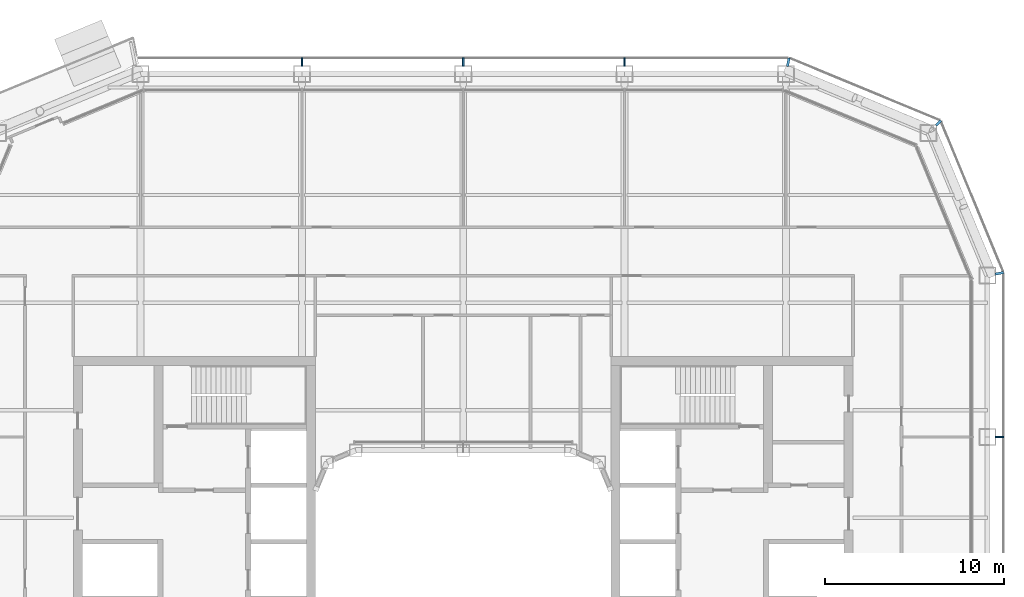
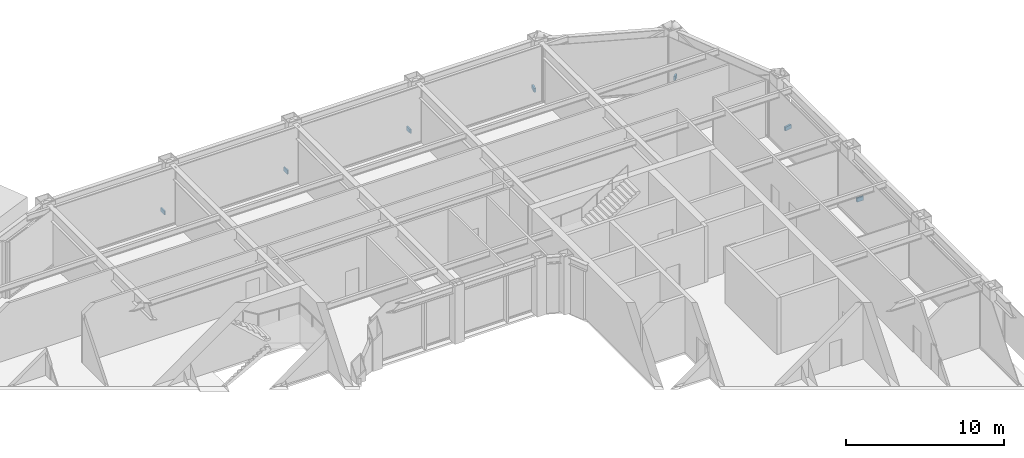
# One storey, part 17 of 23: 7 discrete accessories.
"""IFC4 building model written with IfcOpenShell, lengths in metres."""

from ifc_helpers import new_model, si_unit, direction, frame, origin, origin_2d, place, context, subcontext, project, spatial, rectangle, extrude, material, type_object, element, save


model = new_model("IFC4")

# Units and contexts
model_context = context("Model", 3, precision=1e-05, world=origin(), true_north=direction((0.0, 1.0)))
body_context = subcontext(model_context, "Body", "Model", "MODEL_VIEW")
ifc_project = project(units=[si_unit("LENGTHUNIT", "METRE"), si_unit("AREAUNIT", "SQUARE_METRE"), si_unit("VOLUMEUNIT", "CUBIC_METRE"), si_unit("PLANEANGLEUNIT", "RADIAN"), si_unit("MASSUNIT", "GRAM", prefix="KILO")], contexts=[model_context])

# Site, building, storey
site_placement = place(None, origin())
site = spatial("IfcSite", under=ifc_project, at=site_placement, CompositionType="ELEMENT")
building_placement = place(site_placement, origin())
building = spatial("IfcBuilding", under=site, at=building_placement, Name="Siwar Civic Tower", CompositionType="ELEMENT")
storey_placement = place(building_placement, frame((0.0, 0.0, 118.199951171875)))
storey = spatial("IfcBuildingStorey", under=building, at=storey_placement, Name="L25", CompositionType="ELEMENT", Elevation=118.199951171875)

# Discrete accessories
ifc_material = material(Name="Stainless steel 316", Category="steel")
discrete_accessory_type = type_object("IfcDiscreteAccessoryType", Name="ENV-BRACKET", PredefinedType="BRACKET", material=ifc_material)
for number, where, z_axis, x_axis, name in (
    (1, (29.9150390625, 9.0, -0.14990234375), (0.0, 0.0, 1.0), (1.0, 0.0, 0.0), "Bracket outer skin joint E-03"),
    (2, (9.0, 29.9150390625, -0.14990234375), (0.0, 0.0, 1.0), (0.0, 1.0, 0.0), "Bracket outer skin joint N-01"),
    (3, (0.0, 29.9150390625, -0.14990234375), (0.0, 0.0, 1.0), (0.0, 1.0, 0.0), "Bracket outer skin joint N-02"),
    (4, (-9.0, 29.9150390625, -0.14990234375), (0.0, 0.0, 1.0), (0.0, 1.0, 0.0), "Bracket outer skin joint N-03"),
):
    element("IfcDiscreteAccessory", number, at=place(storey_placement, frame(where, z_axis=z_axis, x_axis=x_axis)), inside=storey, type_object=discrete_accessory_type, Name=name, PredefinedType="BRACKET", context=body_context, shape_type="SweptSolid", body=[
        extrude(rectangle(XDim=0.469970703125, YDim=0.10009765625, at=origin_2d()), origin(), (0.0, 0.0, 1.0), 0.300048828125),
    ])
discrete_accessory_1_placement = place(storey_placement, frame((29.915283203125, 18.13232421875, -0.14990234375), z_axis=(0.0, 0.0, 1.0), x_axis=(0.980785280403, 0.195090322016, 0.0)))
element("IfcDiscreteAccessory", 5, at=discrete_accessory_1_placement, inside=storey, type_object=discrete_accessory_type, Name="Bracket outer skin joint V04", PredefinedType="BRACKET", context=body_context, shape_type="SweptSolid", body=[
    extrude(rectangle(XDim=0.478759765625, YDim=0.13720703125, at=origin_2d()), origin(), (0.0, 0.0, 1.0), 0.300048828125),
])
discrete_accessory_2_placement = place(storey_placement, frame((26.517333984375, 26.517333984375, -0.14990234375), z_axis=(0.0, 0.0, 1.0), x_axis=(0.707106781187, 0.707106781187, 0.0)))
element("IfcDiscreteAccessory", 6, at=discrete_accessory_2_placement, inside=storey, type_object=discrete_accessory_type, Name="Bracket outer skin joint V05", PredefinedType="BRACKET", context=body_context, shape_type="SweptSolid", body=[
    extrude(rectangle(XDim=0.357666015625, YDim=0.12939453125, at=origin_2d()), origin(), (0.0, 0.0, 1.0), 0.300048828125),
])
discrete_accessory_3_placement = place(storey_placement, frame((18.13232421875, 29.915283203125, -0.14990234375), z_axis=(0.0, 0.0, 1.0), x_axis=(0.195090322016, 0.980785280403, 0.0)))
element("IfcDiscreteAccessory", 7, at=discrete_accessory_3_placement, inside=storey, type_object=discrete_accessory_type, Name="Bracket outer skin joint V06", PredefinedType="BRACKET", context=body_context, shape_type="SweptSolid", body=[
    extrude(rectangle(XDim=0.478759765625, YDim=0.13720703125, at=origin_2d()), origin(), (0.0, 0.0, 1.0), 0.300048828125),
])

save(model, "model.ifc")
